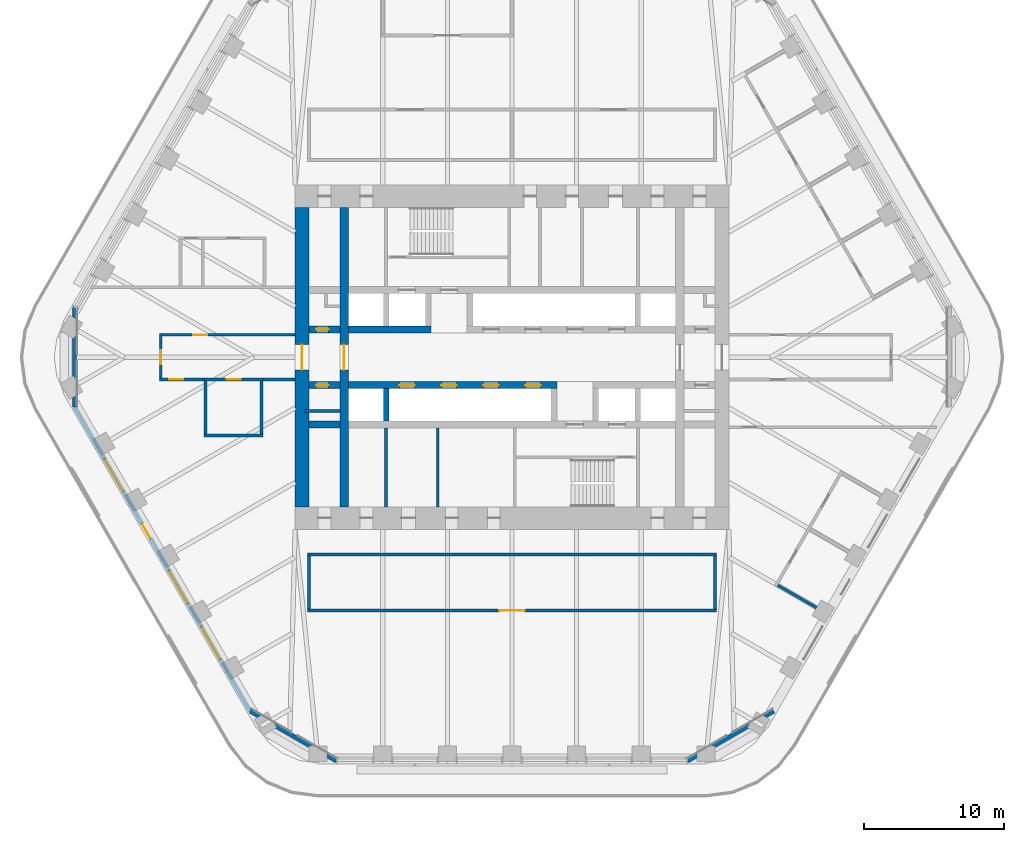
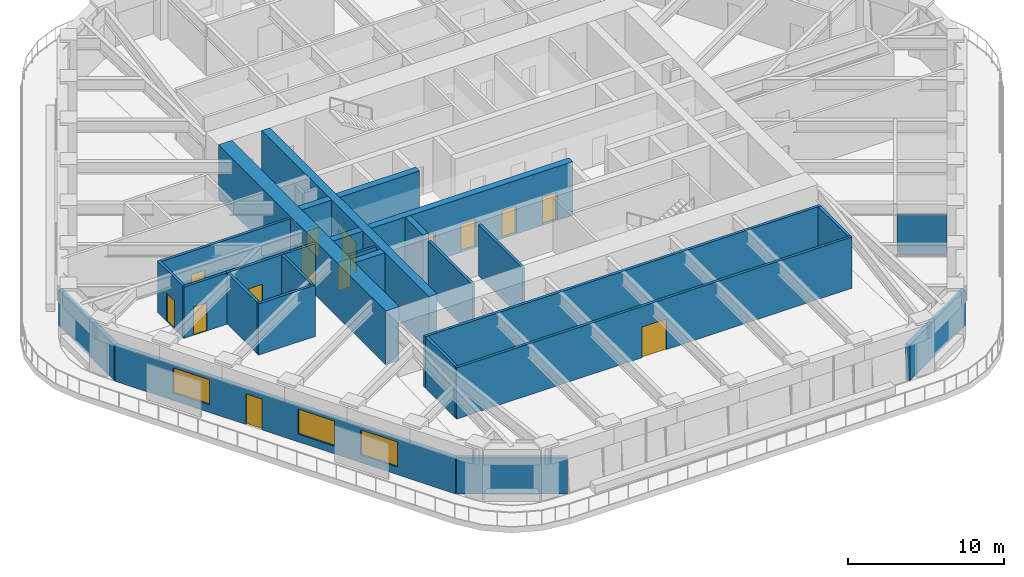
# One storey, part 14 of 20: 28 walls, 14 doors, 3 windows, 17 openings.
"""IFC4 building model written with IfcOpenShell, lengths in metres."""

from ifc_helpers import new_model, si_unit, direction, frame, frame_2d, origin, place, context, subcontext, project, spatial, rectangle, extrude, material, layer, layer_set, type_object, element, fill, save


model = new_model("IFC4")

# Units and contexts
model_context = context("Model", 3, precision=1e-05, world=origin(), true_north=direction((0.0, 1.0)))
body_context = subcontext(model_context, "Body", "Model", "MODEL_VIEW")
ifc_project = project(units=[si_unit("LENGTHUNIT", "METRE"), si_unit("AREAUNIT", "SQUARE_METRE"), si_unit("VOLUMEUNIT", "CUBIC_METRE"), si_unit("PLANEANGLEUNIT", "RADIAN"), si_unit("MASSUNIT", "GRAM", prefix="KILO")], contexts=[model_context])

# Site, building, storey
site_placement = place(None, origin())
site = spatial("IfcSite", under=ifc_project, at=site_placement, CompositionType="ELEMENT")
building_placement = place(site_placement, origin())
building = spatial("IfcBuilding", under=site, at=building_placement, Name="Tarfa Lantern Tower", CompositionType="ELEMENT")
storey_placement = place(building_placement, frame((0.0, 0.0, 236.5)))
storey = spatial("IfcBuildingStorey", under=building, at=storey_placement, Name="L53", CompositionType="ELEMENT", Elevation=236.5)

# Walls
ifc_material_1 = material(Name="Limestone cladding on blockwork", Category="masonry")
ifc_layer_1 = layer(ifc_material_1, 0.300048828125)
ifc_layer_set_1 = layer_set([ifc_layer_1], Name="EW1 STONE-CLAD WALL 300")
wall_type_1 = type_object("IfcWallType", Name="EW1 STONE-CLAD WALL 300", PredefinedType="SOLIDWALL", material=ifc_layer_set_1)
wall_1_placement = place(storey_placement, frame((-31.262939453125, 3.55078125, 0.0), z_axis=(0.0, 0.0, 1.0), x_axis=(0.0, -1.0, 0.0)))
element("IfcWall", 1, at=wall_1_placement, inside=storey, type_object=wall_type_1, Name="Garden wall NW-SW", PredefinedType="SOLIDWALL", context=body_context, shape_type="SweptSolid", body=[
    extrude(rectangle(XDim=7.1015625, YDim=0.300048828125, at=frame_2d((3.55078125, 0.0))), origin(), (0.0, 0.0, 1.0), 2.800048828125),
])
for number, where, z_axis, x_axis, name in (
    (2, (-18.70654296875, -25.299072265625, 0.0), (0.0, 0.0, 1.0), (0.866010973379, -0.500024993363, 0.0), "Garden wall SW-S"),
    (3, (12.556396484375, -28.85009765625, 0.0), (0.0, 0.0, 1.0), (0.866010973379, 0.500024993363, 0.0), "Garden wall S-SE"),
):
    element("IfcWall", number, at=place(storey_placement, frame(where, z_axis=z_axis, x_axis=x_axis)), inside=storey, type_object=wall_type_1, Name=name, PredefinedType="SOLIDWALL", context=body_context, shape_type="SweptSolid", body=[
        extrude(rectangle(XDim=7.101806640625, YDim=0.300048828125, at=frame_2d((3.55078125, 0.0))), origin(), (0.0, 0.0, 1.0), 2.800048828125),
    ])

# Wall, openings, door, windows
wall_2_placement = place(storey_placement, frame((-31.262939453125, -3.55078125, 0.0), z_axis=(0.0, 0.0, 1.0), x_axis=(0.500000442367, -0.866025148383, 0.0)))
wall_2 = element("IfcWall", 4, at=wall_2_placement, inside=storey, type_object=wall_type_1, Name="Stone wall SW", PredefinedType="SOLIDWALL", context=body_context, shape_type="SweptSolid", body=[
    extrude(rectangle(XDim=25.11279296875, YDim=0.300048828125, at=frame_2d((12.556396484375, 0.0))), origin(), (0.0, 0.0, 1.0), 2.800048828125),
])
opening_1_placement = place(wall_2_placement, frame((4.2783203125, 0.0, 0.60009765625)))
opening_1 = element("IfcOpeningElement", 5, at=opening_1_placement, cuts=wall_2, Name="Opening W14", PredefinedType="OPENING", context=body_context, shape_type="SweptSolid", body=[
    extrude(rectangle(XDim=2.699951171875, YDim=1.949951171875, at=frame_2d((1.35009765625, 0.97509765625))), frame((0.0, 0.159912109375, 0.0), z_axis=(0.0, -1.0, 0.0), x_axis=(1.0, 0.0, 0.0)), (0.0, 0.0, 1.0), 0.320068359375),
])
opening_2_placement = place(wall_2_placement, frame((9.64697265625, 0.0, 0.0)))
opening_2 = element("IfcOpeningElement", 6, at=opening_2_placement, cuts=wall_2, Name="Opening D49", PredefinedType="OPENING", context=body_context, shape_type="SweptSolid", body=[
    extrude(rectangle(XDim=1.199951171875, YDim=2.39990234375, at=frame_2d((0.60009765625, 1.199951171875))), frame((0.0, 0.159912109375, 0.0), z_axis=(0.0, -1.0, 0.0), x_axis=(1.0, 0.0, 0.0)), (0.0, 0.0, 1.0), 0.320068359375),
])
opening_3_placement = place(wall_2_placement, frame((13.515869140625, 0.0, 0.60009765625)))
opening_3 = element("IfcOpeningElement", 7, at=opening_3_placement, cuts=wall_2, Name="Opening W14", PredefinedType="OPENING", context=body_context, shape_type="SweptSolid", body=[
    extrude(rectangle(XDim=2.699951171875, YDim=1.949951171875, at=frame_2d((1.35009765625, 0.97509765625))), frame((0.0, 0.159912109375, 0.0), z_axis=(0.0, -1.0, 0.0), x_axis=(1.0, 0.0, 0.0)), (0.0, 0.0, 1.0), 0.320068359375),
])
opening_4_placement = place(wall_2_placement, frame((18.134521484375, 0.0, 0.60009765625)))
opening_4 = element("IfcOpeningElement", 8, at=opening_4_placement, cuts=wall_2, Name="Opening W14", PredefinedType="OPENING", context=body_context, shape_type="SweptSolid", body=[
    extrude(rectangle(XDim=2.699951171875, YDim=1.949951171875, at=frame_2d((1.35009765625, 0.97509765625))), frame((0.0, 0.159912109375, 0.0), z_axis=(0.0, -1.0, 0.0), x_axis=(1.0, 0.0, 0.0)), (0.0, 0.0, 1.0), 0.320068359375),
])
ifc_material_2 = material(Name="Aluminium framed glazed door", Category="aluminium")
door_type_1 = type_object("IfcDoorType", Name="BE3 BALCONY DOOR 1200x2400", OperationType="SINGLE_SWING_RIGHT", PredefinedType="DOOR", material=ifc_material_2)
door_1_placement = place(opening_2_placement, origin())
door_1 = element("IfcDoor", 9, at=door_1_placement, inside=storey, type_object=door_type_1, Name="Balcony door SW", OperationType="SINGLE_SWING_RIGHT", OverallHeight=2.39990234375, OverallWidth=1.199951171875, PredefinedType="DOOR", context=body_context, shape_type="SweptSolid", body=[
    extrude(rectangle(XDim=1.199951171875, YDim=2.39990234375, at=frame_2d((0.60009765625, 1.199951171875))), frame((0.0, 0.02490234375, 0.0), z_axis=(0.0, -1.0, 0.0), x_axis=(1.0, 0.0, 0.0)), (0.0, 0.0, 1.0), 0.050048828125),
])
fill(opening_2, door_1)
ifc_material_3 = material(Name="Aluminium frame, double glazed", Category="aluminium")
window_type = type_object("IfcWindowType", Name="W14 FULL-HEIGHT GLAZING 2700x1950", PartitioningType="SINGLE_PANEL", PredefinedType="WINDOW", material=ifc_material_3)
window_1_placement = place(opening_1_placement, origin())
window_1 = element("IfcWindow", 10, at=window_1_placement, inside=storey, type_object=window_type, Name="Window SW 2", OverallHeight=1.949951171875, OverallWidth=2.699951171875, PartitioningType="SINGLE_PANEL", PredefinedType="WINDOW", context=body_context, shape_type="SweptSolid", body=[
    extrude(rectangle(XDim=2.699951171875, YDim=1.949951171875, at=frame_2d((1.35009765625, 0.97509765625))), frame((0.0, 0.030029296875, 0.0), z_axis=(0.0, -1.0, 0.0), x_axis=(1.0, 0.0, 0.0)), (0.0, 0.0, 1.0), 0.06005859375),
])
fill(opening_1, window_1)
window_2_placement = place(opening_3_placement, origin())
window_2 = element("IfcWindow", 11, at=window_2_placement, inside=storey, type_object=window_type, Name="Window SW 4", OverallHeight=1.949951171875, OverallWidth=2.699951171875, PartitioningType="SINGLE_PANEL", PredefinedType="WINDOW", context=body_context, shape_type="SweptSolid", body=[
    extrude(rectangle(XDim=2.699951171875, YDim=1.949951171875, at=frame_2d((1.35009765625, 0.97509765625))), frame((0.0, 0.030029296875, 0.0), z_axis=(0.0, -1.0, 0.0), x_axis=(1.0, 0.0, 0.0)), (0.0, 0.0, 1.0), 0.06005859375),
])
fill(opening_3, window_2)
window_3_placement = place(opening_4_placement, origin())
window_3 = element("IfcWindow", 12, at=window_3_placement, inside=storey, type_object=window_type, Name="Window SW 5", OverallHeight=1.949951171875, OverallWidth=2.699951171875, PartitioningType="SINGLE_PANEL", PredefinedType="WINDOW", context=body_context, shape_type="SweptSolid", body=[
    extrude(rectangle(XDim=2.699951171875, YDim=1.949951171875, at=frame_2d((1.35009765625, 0.97509765625))), frame((0.0, 0.030029296875, 0.0), z_axis=(0.0, -1.0, 0.0), x_axis=(1.0, 0.0, 0.0)), (0.0, 0.0, 1.0), 0.06005859375),
])
fill(opening_4, window_3)

# Walls
ifc_material_4 = material(Name="Concrete blockwork", Category="masonry")
ifc_layer_2 = layer(ifc_material_4, 0.199951171875)
ifc_layer_set_2 = layer_set([ifc_layer_2], Name="IW1 BLOCKWORK PARTITION 200 EI 120")
wall_type_2 = type_object("IfcWallType", Name="IW1 BLOCKWORK PARTITION 200 EI 120", PredefinedType="PARTITIONING", material=ifc_layer_set_2)
for number, where, z_axis, x_axis, name in (
    (13, (-9.0, -5.050048828125, 0.0), (0.0, 0.0, 1.0), (0.0, -1.0, 0.0), "Core partition"),
    (14, (-5.300048828125, -5.050048828125, 0.0), (0.0, 0.0, 1.0), (0.0, -1.0, 0.0), "Core partition"),
):
    element("IfcWall", number, at=place(storey_placement, frame(where, z_axis=z_axis, x_axis=x_axis)), inside=storey, type_object=wall_type_2, Name=name, PredefinedType="PARTITIONING", context=body_context, shape_type="SweptSolid", body=[
        extrude(rectangle(XDim=5.64990234375, YDim=0.199951171875, at=frame_2d((2.824951171875, 0.0))), origin(), (0.0, 0.0, 1.0), 4.0),
    ])
wall_3_placement = place(storey_placement, frame((-12.300048828125, -3.85009765625, 0.0), z_axis=(0.0, 0.0, 1.0), x_axis=(-1.0, 0.0, 0.0)))
element("IfcWall", 15, at=wall_3_placement, inside=storey, type_object=wall_type_2, Name="Core partition", PredefinedType="PARTITIONING", context=body_context, shape_type="SweptSolid", body=[
    extrude(rectangle(XDim=2.5, YDim=0.199951171875, at=frame_2d((1.25, 0.0))), origin(), (0.0, 0.0, 1.0), 4.0),
])
ifc_material_5 = material(Name="Gypsum board on steel studs", Category="steel")
ifc_layer_3 = layer(ifc_material_5, 0.2099609375)
ifc_layer_set_3 = layer_set([ifc_layer_3], Name="IW2 ACOUSTIC PARTITION 200")
wall_type_3 = type_object("IfcWallType", Name="IW2 ACOUSTIC PARTITION 200", PredefinedType="PARTITIONING", material=ifc_layer_set_3)
wall_4_placement = place(storey_placement, frame((14.60009765625, -14.10009765625, 0.0), z_axis=(0.0, 0.0, 1.0), x_axis=(-1.0, 0.0, 0.0)))
element("IfcWall", 16, at=wall_4_placement, inside=storey, type_object=wall_type_3, Name="Partition", PredefinedType="PARTITIONING", context=body_context, shape_type="SweptSolid", body=[
    extrude(rectangle(XDim=29.2001953125, YDim=0.199951171875, at=frame_2d((14.60009765625, 0.0))), origin(), (0.0, 0.0, 1.0), 4.0),
])

# Wall, opening, door
wall_5_placement = place(storey_placement, frame((14.60009765625, -18.10009765625, 0.0), z_axis=(0.0, 0.0, 1.0), x_axis=(-1.0, 0.0, 0.0)))
wall_5 = element("IfcWall", 17, at=wall_5_placement, inside=storey, type_object=wall_type_3, Name="Partition", PredefinedType="PARTITIONING", context=body_context, shape_type="SweptSolid", body=[
    extrude(rectangle(XDim=29.2001953125, YDim=0.199951171875, at=frame_2d((14.60009765625, 0.0))), origin(), (0.0, 0.0, 1.0), 4.0),
])
opening_5_placement = place(wall_5_placement, frame((13.699951171875, 0.0, 0.0)))
opening_5 = element("IfcOpeningElement", 18, at=opening_5_placement, cuts=wall_5, Name="Opening D37", PredefinedType="OPENING", context=body_context, shape_type="SweptSolid", body=[
    extrude(rectangle(XDim=1.800048828125, YDim=2.39990234375, at=frame_2d((0.89990234375, 1.199951171875))), frame((0.0, 0.10986328125, 0.0), z_axis=(0.0, -1.0, 0.0), x_axis=(1.0, 0.0, 0.0)), (0.0, 0.0, 1.0), 0.219970703125),
])
ifc_material_6 = material(Name="Timber door", Category="wood")
door_type_2 = type_object("IfcDoorType", Name="DR2 ROOM DOOR 1800x2400", OperationType="DOUBLE_DOOR_SINGLE_SWING", PredefinedType="DOOR", material=ifc_material_6)
door_2_placement = place(opening_5_placement, frame((1.800048828125, 0.0, 0.0), z_axis=(0.0, 0.0, 1.0), x_axis=(-1.0, 0.0, 0.0)))
door_2 = element("IfcDoor", 19, at=door_2_placement, inside=storey, type_object=door_type_2, Name="File room door", OperationType="DOUBLE_DOOR_SINGLE_SWING", OverallHeight=2.39990234375, OverallWidth=1.800048828125, PredefinedType="DOOR", context=body_context, shape_type="SweptSolid", body=[
    extrude(rectangle(XDim=1.800048828125, YDim=2.39990234375, at=frame_2d((0.89990234375, 1.199951171875))), frame((0.0, 0.02490234375, 0.0), z_axis=(0.0, -1.0, 0.0), x_axis=(1.0, 0.0, 0.0)), (0.0, 0.0, 1.0), 0.050048828125),
])
fill(opening_5, door_2)

# Walls
for number, where, z_axis, x_axis, name in (
    (20, (14.5, -14.199951171875, 0.0), (0.0, 0.0, 1.0), (0.0, -1.0, 0.0), "Partition"),
    (21, (-14.5, -14.199951171875, 0.0), (0.0, 0.0, 1.0), (0.0, -1.0, 0.0), "Partition"),
):
    element("IfcWall", number, at=place(storey_placement, frame(where, z_axis=z_axis, x_axis=x_axis)), inside=storey, type_object=wall_type_3, Name=name, PredefinedType="PARTITIONING", context=body_context, shape_type="SweptSolid", body=[
        extrude(rectangle(XDim=3.800048828125, YDim=0.199951171875, at=frame_2d((1.89990234375, 0.0))), origin(), (0.0, 0.0, 1.0), 4.0),
    ])
wall_6_placement = place(storey_placement, frame((18.994873046875, -16.300048828125, 0.0), z_axis=(0.0, 0.0, 1.0), x_axis=(0.866042017984, -0.499971222258, 0.0)))
element("IfcWall", 22, at=wall_6_placement, inside=storey, type_object=wall_type_3, Name="Partition", PredefinedType="PARTITIONING", context=body_context, shape_type="SweptSolid", body=[
    extrude(rectangle(XDim=3.199951171875, YDim=0.199951171875, at=frame_2d((1.60009765625, 0.0))), origin(), (0.0, 0.0, 1.0), 3.08154296875),
])

# Wall, opening, door
wall_7_placement = place(storey_placement, frame((-17.800048828125, -1.60009765625, 0.0), z_axis=(0.0, 0.0, 1.0), x_axis=(-1.0, 0.0, 0.0)))
wall_7 = element("IfcWall", 23, at=wall_7_placement, inside=storey, type_object=wall_type_3, Name="Partition", PredefinedType="PARTITIONING", context=body_context, shape_type="SweptSolid", body=[
    extrude(rectangle(XDim=4.199951171875, YDim=0.199951171875, at=frame_2d((2.10009765625, 0.0))), origin(), (0.0, 0.0, 1.0), 4.0),
])
opening_6_placement = place(wall_7_placement, frame((1.60009765625, 0.0, 0.0)))
opening_6 = element("IfcOpeningElement", 24, at=opening_6_placement, cuts=wall_7, Name="Opening D34", PredefinedType="OPENING", context=body_context, shape_type="SweptSolid", body=[
    extrude(rectangle(XDim=1.0, YDim=2.199951171875, at=frame_2d((0.5, 1.10009765625))), frame((0.0, 0.10986328125, 0.0), z_axis=(0.0, -1.0, 0.0), x_axis=(1.0, 0.0, 0.0)), (0.0, 0.0, 1.0), 0.219970703125),
])
door_type_3 = type_object("IfcDoorType", Name="DR1 ROOM DOOR 1000x2200", OperationType="SINGLE_SWING_LEFT", PredefinedType="DOOR", material=ifc_material_6)
door_3_placement = place(opening_6_placement, origin())
door_3 = element("IfcDoor", 25, at=door_3_placement, inside=storey, type_object=door_type_3, Name="Pantry door", OperationType="SINGLE_SWING_LEFT", OverallHeight=2.199951171875, OverallWidth=1.0, PredefinedType="DOOR", context=body_context, shape_type="SweptSolid", body=[
    extrude(rectangle(XDim=1.0, YDim=2.199951171875, at=frame_2d((0.5, 1.10009765625))), frame((0.0, 0.02490234375, 0.0), z_axis=(0.0, -1.0, 0.0), x_axis=(1.0, 0.0, 0.0)), (0.0, 0.0, 1.0), 0.050048828125),
])
fill(opening_6, door_3)

# Walls
wall_8_placement = place(storey_placement, frame((-17.800048828125, -5.60009765625, 0.0), z_axis=(0.0, 0.0, 1.0), x_axis=(-1.0, 0.0, 0.0)))
element("IfcWall", 26, at=wall_8_placement, inside=storey, type_object=wall_type_3, Name="Partition", PredefinedType="PARTITIONING", context=body_context, shape_type="SweptSolid", body=[
    extrude(rectangle(XDim=4.199951171875, YDim=0.199951171875, at=frame_2d((2.10009765625, 0.0))), origin(), (0.0, 0.0, 1.0), 4.0),
])
for number, where, z_axis, x_axis, name in (
    (27, (-17.89990234375, -1.699951171875, 0.0), (0.0, 0.0, 1.0), (0.0, -1.0, 0.0), "Partition"),
    (28, (-21.89990234375, -1.699951171875, 0.0), (0.0, 0.0, 1.0), (0.0, -1.0, 0.0), "Partition"),
):
    element("IfcWall", number, at=place(storey_placement, frame(where, z_axis=z_axis, x_axis=x_axis)), inside=storey, type_object=wall_type_3, Name=name, PredefinedType="PARTITIONING", context=body_context, shape_type="SweptSolid", body=[
        extrude(rectangle(XDim=3.800048828125, YDim=0.199951171875, at=frame_2d((1.89990234375, 0.0))), origin(), (0.0, 0.0, 1.0), 4.0),
    ])

# Wall, opening, door
wall_9_placement = place(storey_placement, frame((-15.5, 1.60009765625, 0.0), z_axis=(0.0, 0.0, 1.0), x_axis=(-1.0, 0.0, 0.0)))
wall_9 = element("IfcWall", 29, at=wall_9_placement, inside=storey, type_object=wall_type_3, Name="Partition", PredefinedType="PARTITIONING", context=body_context, shape_type="SweptSolid", body=[
    extrude(rectangle(XDim=9.699951171875, YDim=0.199951171875, at=frame_2d((4.85009765625, 0.0))), origin(), (0.0, 0.0, 1.0), 4.0),
])
opening_7_placement = place(wall_9_placement, frame((6.2900390625, 0.0, 0.0)))
opening_7 = element("IfcOpeningElement", 30, at=opening_7_placement, cuts=wall_9, Name="Opening D44", PredefinedType="OPENING", context=body_context, shape_type="SweptSolid", body=[
    extrude(rectangle(XDim=1.0, YDim=2.199951171875, at=frame_2d((0.5, 1.10009765625))), frame((0.0, 0.10986328125, 0.0), z_axis=(0.0, -1.0, 0.0), x_axis=(1.0, 0.0, 0.0)), (0.0, 0.0, 1.0), 0.219970703125),
])
door_4_placement = place(opening_7_placement, frame((1.0, 0.0, 0.0), z_axis=(0.0, 0.0, 1.0), x_axis=(-1.0, 0.0, 0.0)))
door_4 = element("IfcDoor", 31, at=door_4_placement, inside=storey, type_object=door_type_3, Name="Corridor door", OperationType="SINGLE_SWING_RIGHT", OverallHeight=2.199951171875, OverallWidth=1.0, PredefinedType="DOOR", context=body_context, shape_type="SweptSolid", body=[
    extrude(rectangle(XDim=1.0, YDim=2.199951171875, at=frame_2d((0.5, 1.10009765625))), frame((0.0, 0.02490234375, 0.0), z_axis=(0.0, -1.0, 0.0), x_axis=(1.0, 0.0, 0.0)), (0.0, 0.0, 1.0), 0.050048828125),
])
fill(opening_7, door_4)

wall_10_placement = place(storey_placement, frame((-22.0, -1.60009765625, 0.0), z_axis=(0.0, 0.0, 1.0), x_axis=(-1.0, 0.0, 0.0)))
wall_10 = element("IfcWall", 32, at=wall_10_placement, inside=storey, type_object=wall_type_3, Name="Partition", PredefinedType="PARTITIONING", context=body_context, shape_type="SweptSolid", body=[
    extrude(rectangle(XDim=3.199951171875, YDim=0.199951171875, at=frame_2d((1.60009765625, 0.0))), origin(), (0.0, 0.0, 1.0), 4.0),
])
opening_8_placement = place(wall_10_placement, frame((1.5, 0.0, 0.0)))
opening_8 = element("IfcOpeningElement", 33, at=opening_8_placement, cuts=wall_10, Name="Opening D45", PredefinedType="OPENING", context=body_context, shape_type="SweptSolid", body=[
    extrude(rectangle(XDim=1.0, YDim=2.199951171875, at=frame_2d((0.5, 1.10009765625))), frame((0.0, 0.10986328125, 0.0), z_axis=(0.0, -1.0, 0.0), x_axis=(1.0, 0.0, 0.0)), (0.0, 0.0, 1.0), 0.219970703125),
])
door_5_placement = place(opening_8_placement, origin())
door_5 = element("IfcDoor", 34, at=door_5_placement, inside=storey, type_object=door_type_3, Name="Corridor door", OperationType="SINGLE_SWING_RIGHT", OverallHeight=2.199951171875, OverallWidth=1.0, PredefinedType="DOOR", context=body_context, shape_type="SweptSolid", body=[
    extrude(rectangle(XDim=1.0, YDim=2.199951171875, at=frame_2d((0.5, 1.10009765625))), frame((0.0, 0.02490234375, 0.0), z_axis=(0.0, -1.0, 0.0), x_axis=(1.0, 0.0, 0.0)), (0.0, 0.0, 1.0), 0.050048828125),
])
fill(opening_8, door_5)

# Wall
wall_11_placement = place(storey_placement, frame((-15.5, -1.60009765625, 0.0), z_axis=(0.0, 0.0, 1.0), x_axis=(-1.0, 0.0, 0.0)))
element("IfcWall", 35, at=wall_11_placement, inside=storey, type_object=wall_type_3, Name="Partition", PredefinedType="PARTITIONING", context=body_context, shape_type="SweptSolid", body=[
    extrude(rectangle(XDim=2.300048828125, YDim=0.199951171875, at=frame_2d((1.14990234375, 0.0))), origin(), (0.0, 0.0, 1.0), 4.0),
])

# Wall, opening, door
wall_12_placement = place(storey_placement, frame((-25.10009765625, -1.699951171875, 0.0), z_axis=(0.0, 0.0, 1.0), x_axis=(0.0, 1.0, 0.0)))
wall_12 = element("IfcWall", 36, at=wall_12_placement, inside=storey, type_object=wall_type_3, Name="Partition", PredefinedType="PARTITIONING", context=body_context, shape_type="SweptSolid", body=[
    extrude(rectangle(XDim=3.39990234375, YDim=0.199951171875, at=frame_2d((1.699951171875, 0.0))), origin(), (0.0, 0.0, 1.0), 4.0),
])
opening_9_placement = place(wall_12_placement, frame((1.199951171875, 0.0, 0.0)))
opening_9 = element("IfcOpeningElement", 37, at=opening_9_placement, cuts=wall_12, Name="Opening D43", PredefinedType="OPENING", context=body_context, shape_type="SweptSolid", body=[
    extrude(rectangle(XDim=1.0, YDim=2.199951171875, at=frame_2d((0.5, 1.10009765625))), frame((0.0, 0.10986328125, 0.0), z_axis=(0.0, -1.0, 0.0), x_axis=(1.0, 0.0, 0.0)), (0.0, 0.0, 1.0), 0.219970703125),
])
door_6_placement = place(opening_9_placement, origin())
door_6 = element("IfcDoor", 38, at=door_6_placement, inside=storey, type_object=door_type_3, Name="Corridor door", OperationType="SINGLE_SWING_RIGHT", OverallHeight=2.199951171875, OverallWidth=1.0, PredefinedType="DOOR", context=body_context, shape_type="SweptSolid", body=[
    extrude(rectangle(XDim=1.0, YDim=2.199951171875, at=frame_2d((0.5, 1.10009765625))), frame((0.0, 0.02490234375, 0.0), z_axis=(0.0, -1.0, 0.0), x_axis=(1.0, 0.0, 0.0)), (0.0, 0.0, 1.0), 0.050048828125),
])
fill(opening_9, door_6)

ifc_material_7 = material(Name="Concrete C80/95", Category="concrete")
ifc_layer_4 = layer(ifc_material_7, 1.0)
ifc_layer_set_4 = layer_set([ifc_layer_4], Name="SW2 CORE WALL 1000")
wall_type_4 = type_object("IfcWallType", Name="SW2 CORE WALL 1000", PredefinedType="SHEAR", material=ifc_layer_set_4)
wall_13_placement = place(storey_placement, frame((-15.0, 10.699951171875, 0.0), z_axis=(0.0, 0.0, 1.0), x_axis=(0.0, -1.0, 0.0)))
wall_13 = element("IfcWall", 39, at=wall_13_placement, inside=storey, type_object=wall_type_4, Name="Core wall W", PredefinedType="SHEAR", context=body_context, shape_type="SweptSolid", body=[
    extrude(rectangle(XDim=21.39990234375, YDim=1.0, at=frame_2d((10.699951171875, 0.0))), origin(), (0.0, 0.0, 1.0), 4.199951171875),
])
opening_10_placement = place(wall_13_placement, frame((9.800048828125, 0.0, 0.0)))
opening_10 = element("IfcOpeningElement", 40, at=opening_10_placement, cuts=wall_13, Name="Opening D12", PredefinedType="OPENING", context=body_context, shape_type="SweptSolid", body=[
    extrude(rectangle(XDim=1.800048828125, YDim=2.39990234375, at=frame_2d((0.89990234375, 1.199951171875))), frame((0.0, 0.510009765625, 0.0), z_axis=(0.0, -1.0, 0.0), x_axis=(1.0, 0.0, 0.0)), (0.0, 0.0, 1.0), 1.02001953125),
])
ifc_material_8 = material(Name="Steel fire door", Category="steel")
door_type_4 = type_object("IfcDoorType", Name="DL1 LOBBY DOOR 1800x2400", OperationType="DOUBLE_DOOR_SINGLE_SWING", PredefinedType="DOOR", material=ifc_material_8)
door_7_placement = place(opening_10_placement, frame((1.800048828125, 0.0, 0.0), z_axis=(0.0, 0.0, 1.0), x_axis=(-1.0, 0.0, 0.0)))
door_7 = element("IfcDoor", 41, at=door_7_placement, inside=storey, type_object=door_type_4, Name="Lift lobby door", OperationType="DOUBLE_DOOR_SINGLE_SWING", OverallHeight=2.39990234375, OverallWidth=1.800048828125, PredefinedType="DOOR", context=body_context, shape_type="SweptSolid", body=[
    extrude(rectangle(XDim=1.800048828125, YDim=2.39990234375, at=frame_2d((0.89990234375, 1.199951171875))), frame((0.0, 0.02490234375, 0.0), z_axis=(0.0, -1.0, 0.0), x_axis=(1.0, 0.0, 0.0)), (0.0, 0.0, 1.0), 0.050048828125),
])
fill(opening_10, door_7)

ifc_layer_5 = layer(ifc_material_7, 0.5)
ifc_layer_set_5 = layer_set([ifc_layer_5], Name="SW5 CORE WALL 500")
wall_type_5 = type_object("IfcWallType", Name="SW5 CORE WALL 500", PredefinedType="SHEAR", material=ifc_layer_set_5)
wall_14_placement = place(storey_placement, frame((-14.5, 2.0, 0.0), z_axis=(0.0, 0.0, 1.0), x_axis=(1.0, 0.0, 0.0)))
wall_14 = element("IfcWall", 42, at=wall_14_placement, inside=storey, type_object=wall_type_5, Name="Core wall lobby west N", PredefinedType="SHEAR", context=body_context, shape_type="SweptSolid", body=[
    extrude(rectangle(XDim=2.199951171875, YDim=0.5, at=frame_2d((1.10009765625, 0.0))), origin(), (0.0, 0.0, 1.0), 4.199951171875),
])
opening_11_placement = place(wall_14_placement, frame((0.5, 0.0, 0.0)))
opening_11 = element("IfcOpeningElement", 43, at=opening_11_placement, cuts=wall_14, Name="Opening D15", PredefinedType="OPENING", context=body_context, shape_type="SweptSolid", body=[
    extrude(rectangle(XDim=0.89990234375, YDim=2.199951171875, at=frame_2d((0.449951171875, 1.10009765625))), frame((0.0, 0.260009765625, 0.0), z_axis=(0.0, -1.0, 0.0), x_axis=(1.0, 0.0, 0.0)), (0.0, 0.0, 1.0), 0.52001953125),
])
door_type_5 = type_object("IfcDoorType", Name="DF6 SERVICE ROOM DOOR 900x2200", OperationType="SINGLE_SWING_LEFT", PredefinedType="DOOR", material=ifc_material_8)
door_8_placement = place(opening_11_placement, origin())
door_8 = element("IfcDoor", 44, at=door_8_placement, inside=storey, type_object=door_type_5, Name="Service room door", OperationType="SINGLE_SWING_RIGHT", OverallHeight=2.199951171875, OverallWidth=0.89990234375, PredefinedType="DOOR", context=body_context, shape_type="SweptSolid", body=[
    extrude(rectangle(XDim=0.89990234375, YDim=2.199951171875, at=frame_2d((0.449951171875, 1.10009765625))), frame((0.0, 0.02490234375, 0.0), z_axis=(0.0, -1.0, 0.0), x_axis=(1.0, 0.0, 0.0)), (0.0, 0.0, 1.0), 0.050048828125),
])
fill(opening_11, door_8)

# Wall
wall_15_placement = place(storey_placement, frame((-11.699951171875, 2.0, 0.0), z_axis=(0.0, 0.0, 1.0), x_axis=(1.0, 0.0, 0.0)))
element("IfcWall", 45, at=wall_15_placement, inside=storey, type_object=wall_type_5, Name="Core wall lobby west N", PredefinedType="SHEAR", context=body_context, shape_type="SweptSolid", body=[
    extrude(rectangle(XDim=5.89990234375, YDim=0.5, at=frame_2d((2.949951171875, 0.0))), origin(), (0.0, 0.0, 1.0), 4.199951171875),
])

# Wall, openings, doors
wall_16_placement = place(storey_placement, frame((3.199951171875, -2.0, 0.0), z_axis=(0.0, 0.0, 1.0), x_axis=(-1.0, 0.0, 0.0)))
wall_16 = element("IfcWall", 46, at=wall_16_placement, inside=storey, type_object=wall_type_5, Name="Core wall lobby east S", PredefinedType="SHEAR", context=body_context, shape_type="SweptSolid", body=[
    extrude(rectangle(XDim=14.89990234375, YDim=0.5, at=frame_2d((7.449951171875, 0.0))), origin(), (0.0, 0.0, 1.0), 4.199951171875),
])
opening_12_placement = place(wall_16_placement, frame((1.14990234375, 0.0, 0.0)))
opening_12 = element("IfcOpeningElement", 47, at=opening_12_placement, cuts=wall_16, Name="Opening LD07", PredefinedType="OPENING", context=body_context, shape_type="SweptSolid", body=[
    extrude(rectangle(XDim=1.10009765625, YDim=2.199951171875, at=frame_2d((0.550048828125, 1.10009765625))), frame((0.0, 0.260009765625, 0.0), z_axis=(0.0, -1.0, 0.0), x_axis=(1.0, 0.0, 0.0)), (0.0, 0.0, 1.0), 0.52001953125),
])
opening_13_placement = place(wall_16_placement, frame((4.14990234375, 0.0, 0.0)))
opening_13 = element("IfcOpeningElement", 48, at=opening_13_placement, cuts=wall_16, Name="Opening LD08", PredefinedType="OPENING", context=body_context, shape_type="SweptSolid", body=[
    extrude(rectangle(XDim=1.10009765625, YDim=2.199951171875, at=frame_2d((0.550048828125, 1.10009765625))), frame((0.0, 0.260009765625, 0.0), z_axis=(0.0, -1.0, 0.0), x_axis=(1.0, 0.0, 0.0)), (0.0, 0.0, 1.0), 0.52001953125),
])
opening_14_placement = place(wall_16_placement, frame((7.14990234375, 0.0, 0.0)))
opening_14 = element("IfcOpeningElement", 49, at=opening_14_placement, cuts=wall_16, Name="Opening LD09", PredefinedType="OPENING", context=body_context, shape_type="SweptSolid", body=[
    extrude(rectangle(XDim=1.10009765625, YDim=2.199951171875, at=frame_2d((0.550048828125, 1.10009765625))), frame((0.0, 0.260009765625, 0.0), z_axis=(0.0, -1.0, 0.0), x_axis=(1.0, 0.0, 0.0)), (0.0, 0.0, 1.0), 0.52001953125),
])
opening_15_placement = place(wall_16_placement, frame((10.14990234375, 0.0, 0.0)))
opening_15 = element("IfcOpeningElement", 50, at=opening_15_placement, cuts=wall_16, Name="Opening LD10", PredefinedType="OPENING", context=body_context, shape_type="SweptSolid", body=[
    extrude(rectangle(XDim=1.10009765625, YDim=2.199951171875, at=frame_2d((0.550048828125, 1.10009765625))), frame((0.0, 0.260009765625, 0.0), z_axis=(0.0, -1.0, 0.0), x_axis=(1.0, 0.0, 0.0)), (0.0, 0.0, 1.0), 0.52001953125),
])
ifc_material_9 = material(Name="Stainless steel lift door", Category="steel")
door_type_6 = type_object("IfcDoorType", Name="LD2 LIFT LANDING DOOR 1100x2200", OperationType="SLIDING_TO_LEFT", PredefinedType="DOOR", material=ifc_material_9)
door_9_placement = place(opening_12_placement, frame((1.10009765625, 0.0, 0.0), z_axis=(0.0, 0.0, 1.0), x_axis=(-1.0, 0.0, 0.0)))
door_9 = element("IfcDoor", 51, at=door_9_placement, inside=storey, type_object=door_type_6, Name="Landing door PC5", OperationType="SLIDING_TO_LEFT", OverallHeight=2.199951171875, OverallWidth=1.10009765625, PredefinedType="DOOR", context=body_context, shape_type="SweptSolid", body=[
    extrude(rectangle(XDim=1.10009765625, YDim=2.199951171875, at=frame_2d((0.550048828125, 1.10009765625))), frame((0.0, 0.02490234375, 0.0), z_axis=(0.0, -1.0, 0.0), x_axis=(1.0, 0.0, 0.0)), (0.0, 0.0, 1.0), 0.050048828125),
])
fill(opening_12, door_9)
door_10_placement = place(opening_13_placement, frame((1.10009765625, 0.0, 0.0), z_axis=(0.0, 0.0, 1.0), x_axis=(-1.0, 0.0, 0.0)))
door_10 = element("IfcDoor", 52, at=door_10_placement, inside=storey, type_object=door_type_6, Name="Landing door PC6", OperationType="SLIDING_TO_LEFT", OverallHeight=2.199951171875, OverallWidth=1.10009765625, PredefinedType="DOOR", context=body_context, shape_type="SweptSolid", body=[
    extrude(rectangle(XDim=1.10009765625, YDim=2.199951171875, at=frame_2d((0.550048828125, 1.10009765625))), frame((0.0, 0.02490234375, 0.0), z_axis=(0.0, -1.0, 0.0), x_axis=(1.0, 0.0, 0.0)), (0.0, 0.0, 1.0), 0.050048828125),
])
fill(opening_13, door_10)
door_11_placement = place(opening_14_placement, frame((1.10009765625, 0.0, 0.0), z_axis=(0.0, 0.0, 1.0), x_axis=(-1.0, 0.0, 0.0)))
door_11 = element("IfcDoor", 53, at=door_11_placement, inside=storey, type_object=door_type_6, Name="Landing door PC7", OperationType="SLIDING_TO_LEFT", OverallHeight=2.199951171875, OverallWidth=1.10009765625, PredefinedType="DOOR", context=body_context, shape_type="SweptSolid", body=[
    extrude(rectangle(XDim=1.10009765625, YDim=2.199951171875, at=frame_2d((0.550048828125, 1.10009765625))), frame((0.0, 0.02490234375, 0.0), z_axis=(0.0, -1.0, 0.0), x_axis=(1.0, 0.0, 0.0)), (0.0, 0.0, 1.0), 0.050048828125),
])
fill(opening_14, door_11)
door_12_placement = place(opening_15_placement, frame((1.10009765625, 0.0, 0.0), z_axis=(0.0, 0.0, 1.0), x_axis=(-1.0, 0.0, 0.0)))
door_12 = element("IfcDoor", 54, at=door_12_placement, inside=storey, type_object=door_type_6, Name="Landing door PC8", OperationType="SLIDING_TO_LEFT", OverallHeight=2.199951171875, OverallWidth=1.10009765625, PredefinedType="DOOR", context=body_context, shape_type="SweptSolid", body=[
    extrude(rectangle(XDim=1.10009765625, YDim=2.199951171875, at=frame_2d((0.550048828125, 1.10009765625))), frame((0.0, 0.02490234375, 0.0), z_axis=(0.0, -1.0, 0.0), x_axis=(1.0, 0.0, 0.0)), (0.0, 0.0, 1.0), 0.050048828125),
])
fill(opening_15, door_12)

# Wall, opening, door
wall_17_placement = place(storey_placement, frame((-12.300048828125, -2.0, 0.0), z_axis=(0.0, 0.0, 1.0), x_axis=(-1.0, 0.0, 0.0)))
wall_17 = element("IfcWall", 55, at=wall_17_placement, inside=storey, type_object=wall_type_5, Name="Core wall lobby east S", PredefinedType="SHEAR", context=body_context, shape_type="SweptSolid", body=[
    extrude(rectangle(XDim=2.199951171875, YDim=0.5, at=frame_2d((1.10009765625, 0.0))), origin(), (0.0, 0.0, 1.0), 4.199951171875),
])
opening_16_placement = place(wall_17_placement, frame((0.800048828125, 0.0, 0.0)))
opening_16 = element("IfcOpeningElement", 56, at=opening_16_placement, cuts=wall_17, Name="Opening D14", PredefinedType="OPENING", context=body_context, shape_type="SweptSolid", body=[
    extrude(rectangle(XDim=0.89990234375, YDim=2.199951171875, at=frame_2d((0.449951171875, 1.10009765625))), frame((0.0, 0.260009765625, 0.0), z_axis=(0.0, -1.0, 0.0), x_axis=(1.0, 0.0, 0.0)), (0.0, 0.0, 1.0), 0.52001953125),
])
door_13_placement = place(opening_16_placement, origin())
door_13 = element("IfcDoor", 57, at=door_13_placement, inside=storey, type_object=door_type_5, Name="Service room door", OperationType="SINGLE_SWING_LEFT", OverallHeight=2.199951171875, OverallWidth=0.89990234375, PredefinedType="DOOR", context=body_context, shape_type="SweptSolid", body=[
    extrude(rectangle(XDim=0.89990234375, YDim=2.199951171875, at=frame_2d((0.449951171875, 1.10009765625))), frame((0.0, 0.02490234375, 0.0), z_axis=(0.0, -1.0, 0.0), x_axis=(1.0, 0.0, 0.0)), (0.0, 0.0, 1.0), 0.050048828125),
])
fill(opening_16, door_13)

# Walls
wall_18_placement = place(storey_placement, frame((-12.300048828125, -4.800048828125, 0.0), z_axis=(0.0, 0.0, 1.0), x_axis=(-1.0, 0.0, 0.0)))
element("IfcWall", 58, at=wall_18_placement, inside=storey, type_object=wall_type_5, Name="Core wall rear S", PredefinedType="SHEAR", context=body_context, shape_type="SweptSolid", body=[
    extrude(rectangle(XDim=2.199951171875, YDim=0.5, at=frame_2d((1.10009765625, 0.0))), origin(), (0.0, 0.0, 1.0), 4.199951171875),
])
ifc_layer_6 = layer(ifc_material_7, 0.39990234375)
ifc_layer_set_6 = layer_set([ifc_layer_6], Name="SW6 CORE WALL 400")
wall_type_6 = type_object("IfcWallType", Name="SW6 CORE WALL 400", PredefinedType="SHEAR", material=ifc_layer_set_6)
wall_19_placement = place(storey_placement, frame((-9.0, -2.25, 0.0), z_axis=(0.0, 0.0, 1.0), x_axis=(0.0, -1.0, 0.0)))
element("IfcWall", 59, at=wall_19_placement, inside=storey, type_object=wall_type_6, Name="Core wall divider S", PredefinedType="SHEAR", context=body_context, shape_type="SweptSolid", body=[
    extrude(rectangle(XDim=2.300048828125, YDim=0.39990234375, at=frame_2d((1.14990234375, 0.0))), origin(), (0.0, 0.0, 1.0), 4.199951171875),
])

# Wall, opening, door
ifc_layer_7 = layer(ifc_material_7, 0.60009765625)
ifc_layer_set_7 = layer_set([ifc_layer_7], Name="SW9 CORE WALL 600")
wall_type_7 = type_object("IfcWallType", Name="SW9 CORE WALL 600", PredefinedType="SHEAR", material=ifc_layer_set_7)
wall_20_placement = place(storey_placement, frame((-12.0, -10.699951171875, 0.0), z_axis=(0.0, 0.0, 1.0), x_axis=(0.0, 1.0, 0.0)))
wall_20 = element("IfcWall", 60, at=wall_20_placement, inside=storey, type_object=wall_type_7, Name="Core wall cross 12 m west", PredefinedType="SHEAR", context=body_context, shape_type="SweptSolid", body=[
    extrude(rectangle(XDim=21.39990234375, YDim=0.60009765625, at=frame_2d((10.699951171875, 0.0))), origin(), (0.0, 0.0, 1.0), 4.199951171875),
])
opening_17_placement = place(wall_20_placement, frame((9.800048828125, 0.0, 0.0)))
opening_17 = element("IfcOpeningElement", 61, at=opening_17_placement, cuts=wall_20, Name="Opening D26", PredefinedType="OPENING", context=body_context, shape_type="SweptSolid", body=[
    extrude(rectangle(XDim=1.800048828125, YDim=2.39990234375, at=frame_2d((0.89990234375, 1.199951171875))), frame((0.0, 0.31005859375, 0.0), z_axis=(0.0, -1.0, 0.0), x_axis=(1.0, 0.0, 0.0)), (0.0, 0.0, 1.0), 0.6201171875),
])
door_14_placement = place(opening_17_placement, origin())
door_14 = element("IfcDoor", 62, at=door_14_placement, inside=storey, type_object=door_type_4, Name="Lift lobby door", OperationType="DOUBLE_DOOR_SINGLE_SWING", OverallHeight=2.39990234375, OverallWidth=1.800048828125, PredefinedType="DOOR", context=body_context, shape_type="SweptSolid", body=[
    extrude(rectangle(XDim=1.800048828125, YDim=2.39990234375, at=frame_2d((0.89990234375, 1.199951171875))), frame((0.0, 0.02490234375, 0.0), z_axis=(0.0, -1.0, 0.0), x_axis=(1.0, 0.0, 0.0)), (0.0, 0.0, 1.0), 0.050048828125),
])
fill(opening_17, door_14)

save(model, "model.ifc")
